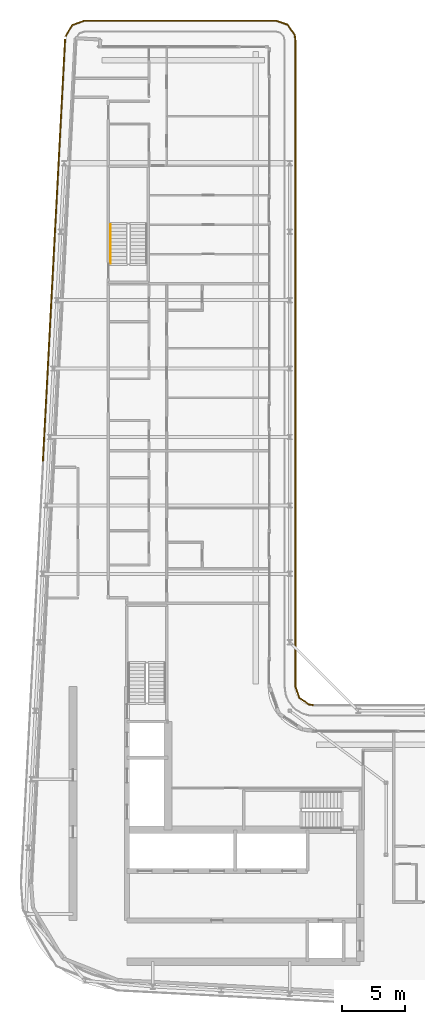
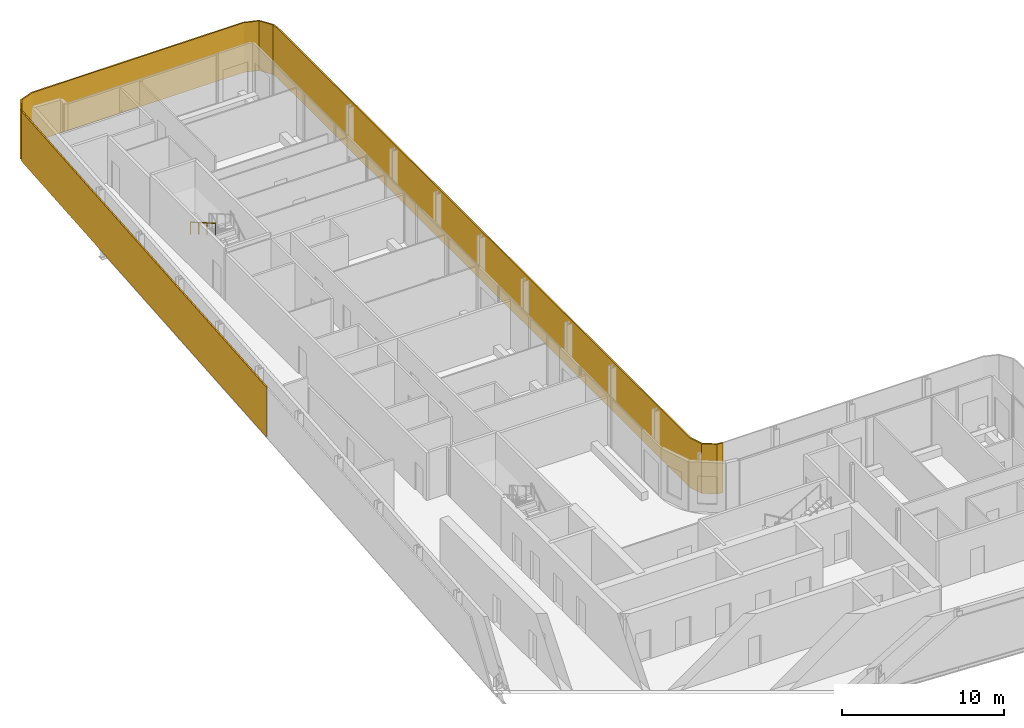
# One storey, part 19 of 21: 2 shading devices, 1 railing.
"""IFC4 building model written with IfcOpenShell, lengths in metres."""

from ifc_helpers import new_model, si_unit, direction, frame, origin, origin_2d, place, context, subcontext, project, spatial, polyline, rectangle, circle, outline, extrude, material, layer, layer_set, type_object, element, save


model = new_model("IFC4")

# Units and contexts
model_context = context("Model", 3, precision=1e-05, world=origin(), true_north=direction((0.0, 1.0)))
body_context = subcontext(model_context, "Body", "Model", "MODEL_VIEW")
ifc_project = project(units=[si_unit("LENGTHUNIT", "METRE"), si_unit("AREAUNIT", "SQUARE_METRE"), si_unit("VOLUMEUNIT", "CUBIC_METRE"), si_unit("PLANEANGLEUNIT", "RADIAN"), si_unit("MASSUNIT", "GRAM", prefix="KILO")], contexts=[model_context])

# Site, building, storey
site_placement = place(None, origin())
site = spatial("IfcSite", under=ifc_project, at=site_placement, CompositionType="ELEMENT")
building_placement = place(site_placement, origin())
building = spatial("IfcBuilding", under=site, at=building_placement, Name="Kheshtan School and Residences Tower", CompositionType="ELEMENT")
storey_placement = place(building_placement, frame((0.0, 0.0, 298.10009765625)))
storey = spatial("IfcBuildingStorey", under=building, at=storey_placement, Name="L70", CompositionType="ELEMENT", Elevation=298.10009765625)

# Shading devices
ifc_material_1 = material(Name="Terracotta baguette, extruded ceramic", Category="masonry")
ifc_layer_1 = layer(ifc_material_1, 0.10009765625)
ifc_layer_set_1 = layer_set([ifc_layer_1], Name="Ledge screen, terracotta baguettes")
shading_device_type_1 = type_object("IfcShadingDeviceType", Name="Ledge screen, terracotta baguettes", PredefinedType="USERDEFINED", material=ifc_layer_set_1)
shading_device_1_placement = place(storey_placement, frame((28.9990234375, 81.93408203125, 0.0), z_axis=(0.0, 0.0, 1.0), x_axis=(0.052562536748, 0.998617634398, 0.0)))
element("IfcShadingDevice", 1, at=shading_device_1_placement, inside=storey, type_object=shading_device_type_1, Name="Screen L70 5", ObjectType="BAGUETTE", PredefinedType="USERDEFINED", context=body_context, shape_type="SweptSolid", body=[
    extrude(rectangle(XDim=33.341064453125, YDim=0.10009765625, at=origin_2d()), origin(), (0.0, 0.0, 1.0), 3.75),
])
ifc_material_2 = material(Name="Terracotta lattice, extruded ceramic", Category="masonry")
ifc_layer_2 = layer(ifc_material_2, 0.10009765625)
ifc_layer_set_2 = layer_set([ifc_layer_2], Name="Loggia screen, terracotta lattice")
shading_device_type_2 = type_object("IfcShadingDeviceType", Name="Loggia screen, terracotta lattice", PredefinedType="USERDEFINED", material=ifc_layer_set_2)
shading_device_2_placement = place(storey_placement, origin())
element("IfcShadingDevice", 2, at=shading_device_2_placement, inside=storey, type_object=shading_device_type_2, Name="Screen L70 1", ObjectType="SCREEN", PredefinedType="USERDEFINED", context=body_context, shape_type="SweptSolid", body=[
    extrude(outline(polyline([(29.949951171875, 98.783935546875), (30.468017578125, 99.656982421875), (31.423095703125, 100.0), (46.5, 100.0), (47.4130859375, 99.68994140625), (47.948974609375, 98.887939453125), (48.0, 98.5), (48.0, 47.5), (48.31005859375, 46.5869140625), (49.112060546875, 46.051025390625), (49.5, 46.0), (49.512939453125, 46.09912109375), (49.14794921875, 46.14697265625), (48.39404296875, 46.65087890625), (48.10009765625, 47.51708984375), (48.10009765625, 98.507080078125), (48.044921875, 98.924072265625), (47.47705078125, 99.77392578125), (46.51708984375, 100.10009765625), (31.406005859375, 100.10009765625), (30.39990234375, 99.739013671875), (29.864013671875, 98.8349609375), (29.949951171875, 98.783935546875)])), origin(), (0.0, 0.0, 1.0), 3.75),
])

# Railing
ifc_material_3 = material(Name="Stainless steel handrail", Category="steel")
railing_type = type_object("IfcRailingType", Name="Stair handrail 900", PredefinedType="HANDRAIL", material=ifc_material_3)
railing_placement = place(storey_placement, frame((33.449951171875, 83.97998046875, 2.1123046875)))
element("IfcRailing", 3, at=railing_placement, inside=storey, type_object=railing_type, Name="L70 ST3 stair handrail 2", PredefinedType="HANDRAIL", context=body_context, shape_type="SweptSolid", body=[
    extrude(circle(Radius=0.02392578125, at=origin_2d()), frame((0.0, 0.0, 0.8759765625), z_axis=(0.0, -0.864890721111, 0.501960198159), x_axis=(1.0, 0.0, 0.0)), (0.0, 0.0, 1.0), 3.561279296875),
    extrude(circle(Radius=0.02099609375, at=origin_2d()), origin(), (0.0, 0.0, 1.0), 0.851806640625),
    extrude(circle(Radius=0.02099609375, at=origin_2d()), frame((0.0, -1.026611328125, 0.595947265625)), (0.0, 0.0, 1.0), 0.851806640625),
    extrude(circle(Radius=0.02099609375, at=origin_2d()), frame((0.0, -2.053466796875, 1.191650390625)), (0.0, 0.0, 1.0), 0.851806640625),
    extrude(circle(Radius=0.02099609375, at=origin_2d()), frame((0.0, -3.080078125, 1.78759765625)), (0.0, 0.0, 1.0), 0.851806640625),
])

save(model, "model.ifc")
